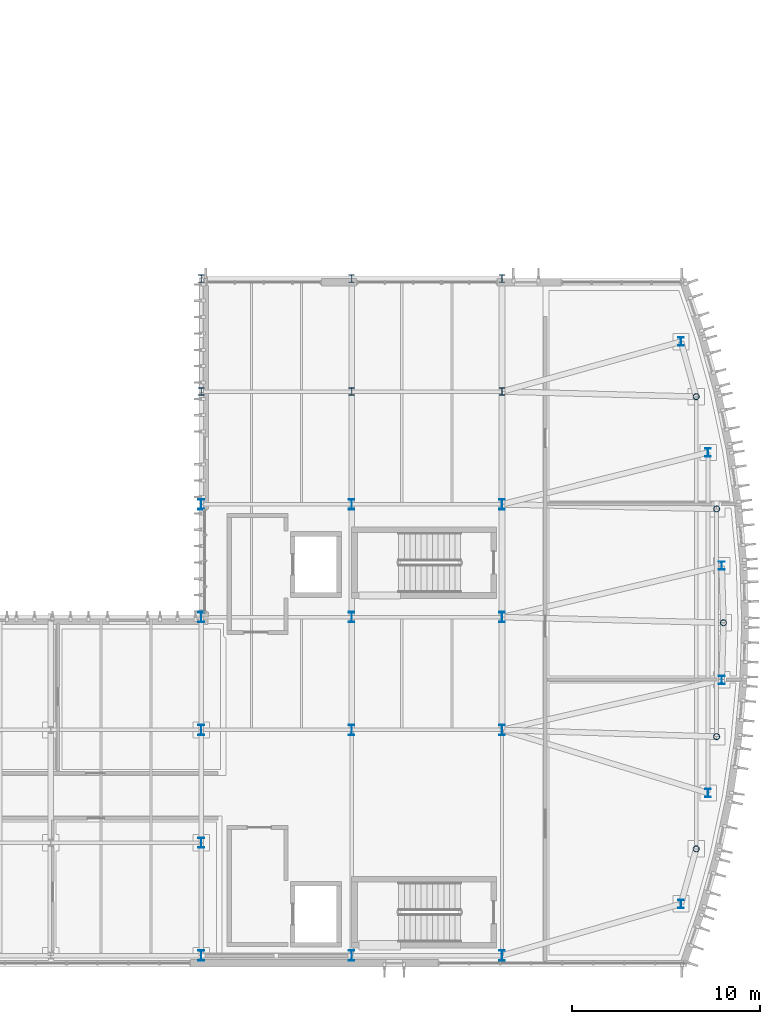
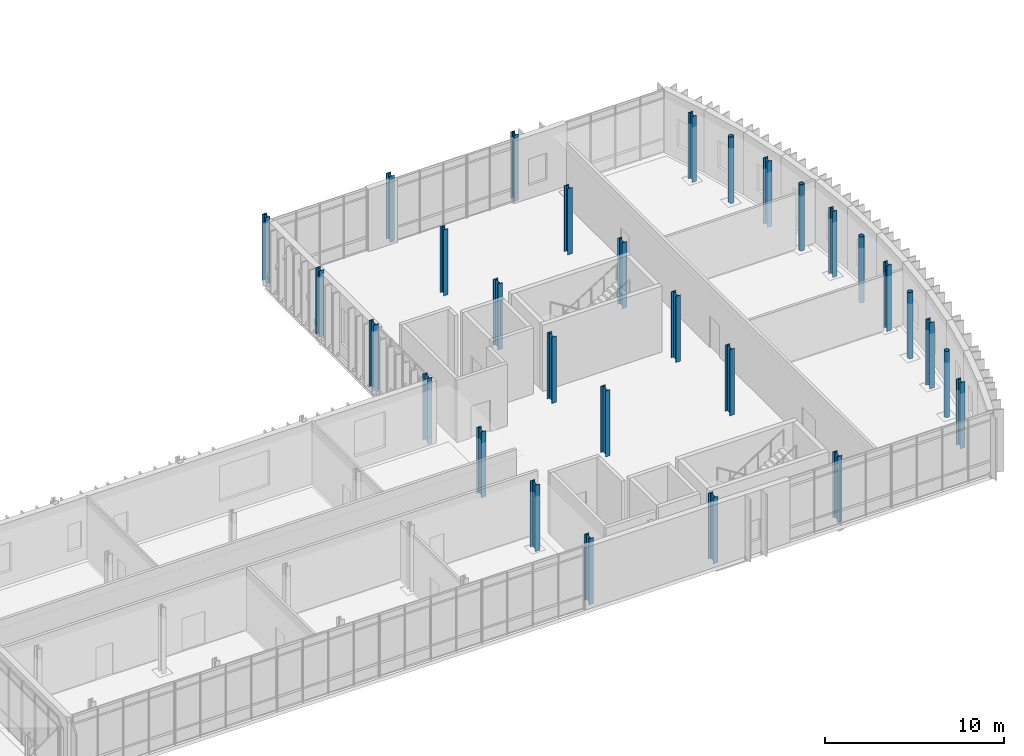
# One storey, part 13 of 100: 30 columns.
"""IFC4 building model written with IfcOpenShell, lengths in metres."""

from ifc_helpers import new_model, si_unit, direction, frame, origin, origin_2d, place, context, subcontext, project, spatial, hollow_circle, i_section, extrude, material, material_profile, profile_set, type_object, element, save


model = new_model("IFC4")

# Units and contexts
model_context = context("Model", 3, precision=1e-05, world=origin(), true_north=direction((0.0, 1.0)))
body_context = subcontext(model_context, "Body", "Model", "MODEL_VIEW")
ifc_project = project(units=[si_unit("LENGTHUNIT", "METRE"), si_unit("AREAUNIT", "SQUARE_METRE"), si_unit("VOLUMEUNIT", "CUBIC_METRE"), si_unit("PLANEANGLEUNIT", "RADIAN"), si_unit("MASSUNIT", "GRAM", prefix="KILO")], contexts=[model_context])

# Site, building, storey
site_placement = place(None, origin())
site = spatial("IfcSite", under=ifc_project, at=site_placement, CompositionType="ELEMENT")
building_placement = place(site_placement, origin())
building = spatial("IfcBuilding", under=site, at=building_placement, Name="Cymarion Research Institute", CompositionType="ELEMENT")
storey_placement = place(building_placement, frame((0.0, 0.0, 9.300048828125)))
storey = spatial("IfcBuildingStorey", under=building, at=storey_placement, Name="L02", CompositionType="ELEMENT", Elevation=9.300048828125)

# Columns
ifc_material = material(Name="Steel S355", Category="steel")
ifc_material_profile_1 = material_profile(ifc_material, i_section(OverallWidth=0.300048828125, OverallDepth=0.550048828125, WebThickness=0.014892578125, FlangeThickness=0.029052734375, FilletRadius=0.027099609375, at=origin_2d()), Name="HEB 550")
ifc_profile_set_1 = profile_set([ifc_material_profile_1], Name="Steel S355")
column_type_1 = type_object("IfcColumnType", Name="STRUCTURAL COLUMN C03 HEB 550", PredefinedType="COLUMN", material=ifc_profile_set_1)
for number, where, z_axis, x_axis, name in (
    (1, (138.60009765625, 5.5, 0.0), (0.0, 0.0, 1.0), (1.0, 0.0, 0.0), "L02 V1 column C03 #834"),
    (2, (138.60009765625, 11.5, 0.0), (0.0, 0.0, 1.0), (1.0, 0.0, 0.0), "L02 V1 column C03 #835"),
    (3, (138.60009765625, 17.5, 0.0), (0.0, 0.0, 1.0), (1.0, 0.0, 0.0), "L02 V1 column C03 #836"),
    (4, (138.60009765625, 23.5, 0.0), (0.0, 0.0, 1.0), (1.0, 0.0, 0.0), "L02 V1 column C03 #837"),
    (5, (138.60009765625, 29.5, 0.0), (0.0, 0.0, 1.0), (1.0, 0.0, 0.0), "L02 V1 column C03 #838"),
    (6, (146.60009765625, 5.5, 0.0), (0.0, 0.0, 1.0), (1.0, 0.0, 0.0), "L02 V1 column C03 #841"),
    (7, (146.60009765625, 17.5, 0.0), (0.0, 0.0, 1.0), (1.0, 0.0, 0.0), "L02 V1 column C03 #842"),
    (8, (146.60009765625, 23.5, 0.0), (0.0, 0.0, 1.0), (1.0, 0.0, 0.0), "L02 V1 column C03 #843"),
    (9, (146.60009765625, 29.5, 0.0), (0.0, 0.0, 1.0), (1.0, 0.0, 0.0), "L02 V1 column C03 #844"),
    (10, (154.60009765625, 5.5, 0.0), (0.0, 0.0, 1.0), (1.0, 0.0, 0.0), "L02 V1 column C03 #847"),
    (11, (154.60009765625, 17.5, 0.0), (0.0, 0.0, 1.0), (1.0, 0.0, 0.0), "L02 V1 column C03 #848"),
    (12, (154.60009765625, 23.5, 0.0), (0.0, 0.0, 1.0), (1.0, 0.0, 0.0), "L02 V1 column C03 #849"),
    (13, (154.60009765625, 29.5, 0.0), (0.0, 0.0, 1.0), (1.0, 0.0, 0.0), "L02 V1 column C03 #850"),
):
    element("IfcColumn", number, at=place(storey_placement, frame(where, z_axis=z_axis, x_axis=x_axis)), inside=storey, type_object=column_type_1, Name=name, PredefinedType="COLUMN", context=body_context, shape_type="SweptSolid", body=[
        extrude(i_section(OverallWidth=0.300048828125, OverallDepth=0.550048828125, WebThickness=0.014892578125, FlangeThickness=0.029052734375, FilletRadius=0.027099609375, at=origin_2d()), origin(), (0.0, 0.0, 1.0), 4.5),
    ])
ifc_material_profile_2 = material_profile(ifc_material, i_section(OverallWidth=0.300048828125, OverallDepth=0.449951171875, WebThickness=0.013916015625, FlangeThickness=0.02587890625, FilletRadius=0.027099609375, at=origin_2d()), Name="HEB 450")
ifc_profile_set_2 = profile_set([ifc_material_profile_2], Name="Steel S355")
column_type_2 = type_object("IfcColumnType", Name="STRUCTURAL COLUMN C05 HEB 450", PredefinedType="COLUMN", material=ifc_profile_set_2)
for number, where, z_axis, x_axis, name in (
    (14, (164.118896484375, 8.2470703125, 0.0), (0.0, 0.0, 1.0), (1.0, 0.0, 0.0), "L02 V1 column C05 #853"),
    (15, (164.118896484375, 38.153076171875, 0.0), (0.0, 0.0, 1.0), (1.0, 0.0, 0.0), "L02 V1 column C05 #854"),
    (16, (165.559814453125, 14.1416015625, 0.0), (0.0, 0.0, 1.0), (1.0, 0.0, 0.0), "L02 V1 column C05 #857"),
    (17, (165.559814453125, 32.258544921875, 0.0), (0.0, 0.0, 1.0), (1.0, 0.0, 0.0), "L02 V1 column C05 #858"),
    (18, (166.285400390625, 20.166015625, 0.0), (0.0, 0.0, 1.0), (1.0, 0.0, 0.0), "L02 V1 column C05 #861"),
    (19, (166.285400390625, 26.23388671875, 0.0), (0.0, 0.0, 1.0), (1.0, 0.0, 0.0), "L02 V1 column C05 #862"),
):
    element("IfcColumn", number, at=place(storey_placement, frame(where, z_axis=z_axis, x_axis=x_axis)), inside=storey, type_object=column_type_2, Name=name, PredefinedType="COLUMN", context=body_context, shape_type="SweptSolid", body=[
        extrude(i_section(OverallWidth=0.300048828125, OverallDepth=0.449951171875, WebThickness=0.013916015625, FlangeThickness=0.02587890625, FilletRadius=0.027099609375, at=origin_2d()), origin(), (0.0, 0.0, 1.0), 4.5),
    ])
ifc_material_profile_3 = material_profile(ifc_material, i_section(OverallWidth=0.300048828125, OverallDepth=0.39990234375, WebThickness=0.013427734375, FlangeThickness=0.02392578125, FilletRadius=0.027099609375, at=origin_2d()), Name="HEB 400")
ifc_profile_set_3 = profile_set([ifc_material_profile_3], Name="Steel S355")
column_type_3 = type_object("IfcColumnType", Name="STRUCTURAL COLUMN C06 HEB 400", PredefinedType="COLUMN", material=ifc_profile_set_3)
for number, where, z_axis, x_axis, name in (
    (20, (138.60009765625, 35.5, 0.0), (0.0, 0.0, 1.0), (1.0, 0.0, 0.0), "L02 V1 column C06 #839"),
    (21, (138.60009765625, 41.5, 0.0), (0.0, 0.0, 1.0), (1.0, 0.0, 0.0), "L02 V1 column C06 #840"),
    (22, (146.60009765625, 35.5, 0.0), (0.0, 0.0, 1.0), (1.0, 0.0, 0.0), "L02 V1 column C06 #845"),
    (23, (146.60009765625, 41.5, 0.0), (0.0, 0.0, 1.0), (1.0, 0.0, 0.0), "L02 V1 column C06 #846"),
    (24, (154.60009765625, 35.5, 0.0), (0.0, 0.0, 1.0), (1.0, 0.0, 0.0), "L02 V1 column C06 #851"),
    (25, (154.60009765625, 41.5, 0.0), (0.0, 0.0, 1.0), (1.0, 0.0, 0.0), "L02 V1 column C06 #852"),
):
    element("IfcColumn", number, at=place(storey_placement, frame(where, z_axis=z_axis, x_axis=x_axis)), inside=storey, type_object=column_type_3, Name=name, PredefinedType="COLUMN", context=body_context, shape_type="SweptSolid", body=[
        extrude(i_section(OverallWidth=0.300048828125, OverallDepth=0.39990234375, WebThickness=0.013427734375, FlangeThickness=0.02392578125, FilletRadius=0.027099609375, at=origin_2d()), origin(), (0.0, 0.0, 1.0), 4.5),
    ])
ifc_material_profile_4 = material_profile(ifc_material, hollow_circle(Radius=0.161865234375, WallThickness=0.01611328125, at=origin_2d()), Name="CHS 323.9x16")
ifc_profile_set_4 = profile_set([ifc_material_profile_4], Name="Steel S355")
column_type_4 = type_object("IfcColumnType", Name="STRUCTURAL COLUMN C16 CHS 323.9x16", PredefinedType="COLUMN", material=ifc_profile_set_4)
for number, where, z_axis, x_axis, name in (
    (26, (164.927734375, 11.172607421875, 0.0), (0.0, 0.0, 1.0), (1.0, 0.0, 0.0), "L02 V1 column C16 #855"),
    (27, (164.927734375, 35.227294921875, 0.0), (0.0, 0.0, 1.0), (1.0, 0.0, 0.0), "L02 V1 column C16 #856"),
    (28, (166.012939453125, 17.142822265625, 0.0), (0.0, 0.0, 1.0), (1.0, 0.0, 0.0), "L02 V1 column C16 #859"),
    (29, (166.012939453125, 29.257080078125, 0.0), (0.0, 0.0, 1.0), (1.0, 0.0, 0.0), "L02 V1 column C16 #860"),
    (30, (166.37646484375, 23.199951171875, 0.0), (0.0, 0.0, 1.0), (1.0, 0.0, 0.0), "L02 V1 column C16 #863"),
):
    element("IfcColumn", number, at=place(storey_placement, frame(where, z_axis=z_axis, x_axis=x_axis)), inside=storey, type_object=column_type_4, Name=name, PredefinedType="COLUMN", context=body_context, shape_type="SweptSolid", body=[
        extrude(hollow_circle(Radius=0.161865234375, WallThickness=0.01611328125, at=origin_2d()), origin(), (0.0, 0.0, 1.0), 4.5),
    ])

save(model, "model.ifc")
